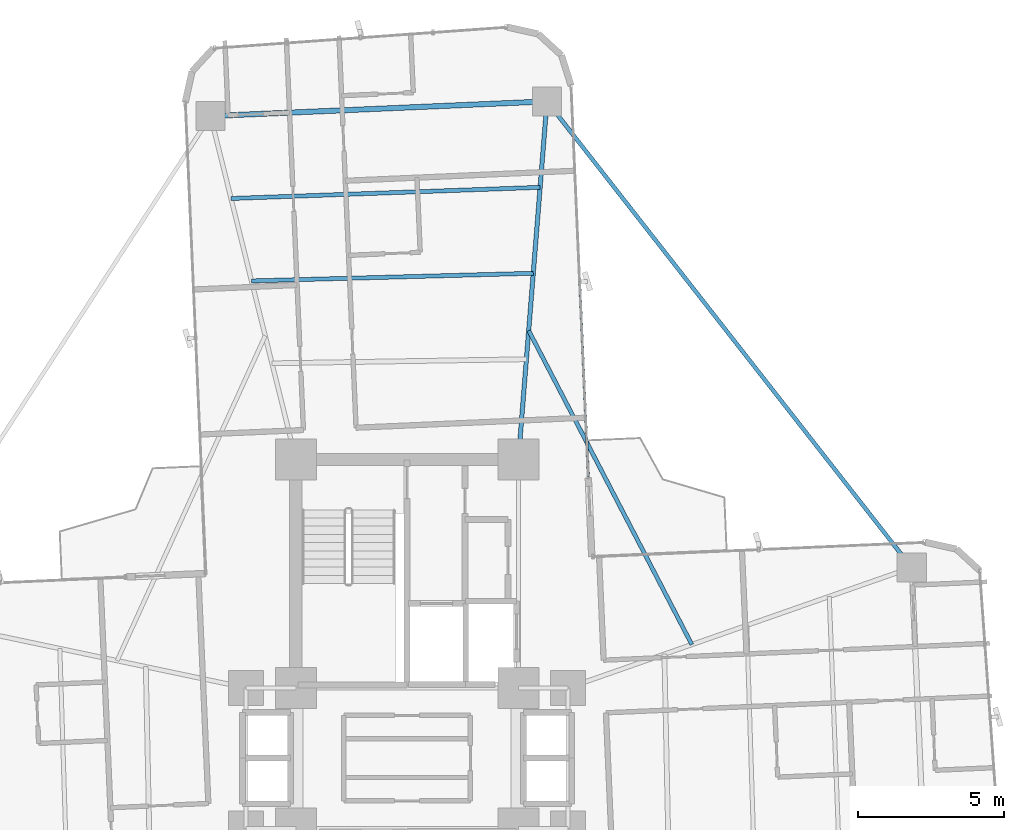
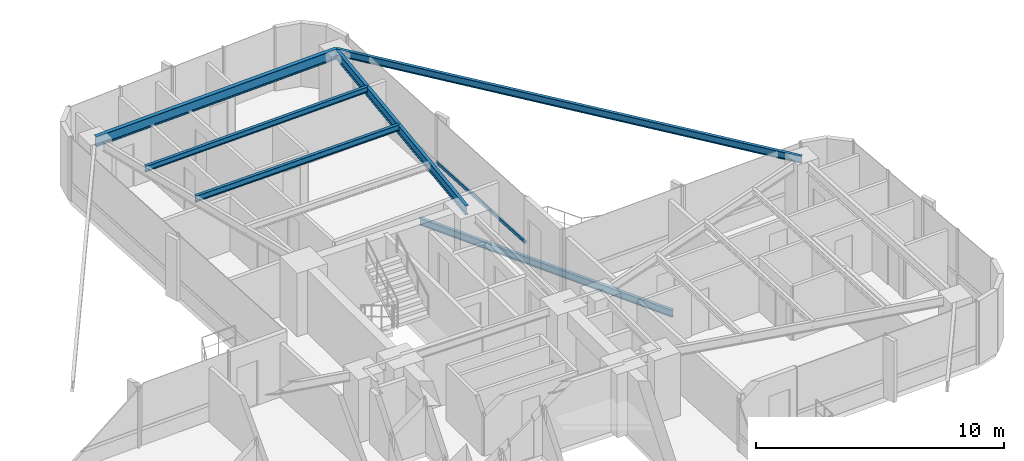
# One storey, part 18 of 26: 6 beams, 1 member, 1 element without a shape of its own.
"""IFC4 building model written with IfcOpenShell, lengths in metres."""

from ifc_helpers import new_model, si_unit, direction, frame, origin, origin_2d, place, context, subcontext, project, spatial, hollow_rectangle, i_section, extrude, source, transform, mapped, material, material_profile, profile_set, type_object, element, aggregate, save


model = new_model("IFC4")

# Units and contexts
model_context = context("Model", 3, precision=1e-05, world=origin(), true_north=direction((0.0, 1.0)))
body_context = subcontext(model_context, "Body", "Model", "MODEL_VIEW")
ifc_project = project(units=[si_unit("LENGTHUNIT", "METRE"), si_unit("AREAUNIT", "SQUARE_METRE"), si_unit("VOLUMEUNIT", "CUBIC_METRE"), si_unit("PLANEANGLEUNIT", "RADIAN"), si_unit("MASSUNIT", "GRAM", prefix="KILO")], contexts=[model_context])

# Site, building, storey
site_placement = place(None, origin())
site = spatial("IfcSite", under=ifc_project, at=site_placement, CompositionType="ELEMENT")
building_placement = place(site_placement, origin())
building = spatial("IfcBuilding", under=site, at=building_placement, Name="Sahyath Konkavel Grand Hotel", CompositionType="ELEMENT")
storey_placement = place(building_placement, frame((0.0, 0.0, 128.199951171875)))
storey = spatial("IfcBuildingStorey", under=building, at=storey_placement, Name="L35", CompositionType="ELEMENT", Elevation=128.199951171875)

# Beams
ifc_material_1 = material(Name="Steel E350", Category="steel")
ifc_material_profile_1 = material_profile(ifc_material_1, i_section(OverallWidth=0.14990234375, OverallDepth=0.449951171875, WebThickness=0.009521484375, FlangeThickness=0.017333984375, FilletRadius=0.014892578125, at=origin_2d()), Name="ISMB 450")
ifc_profile_set_1 = profile_set([ifc_material_profile_1], Name="Steel E350")
beam_type_1 = type_object("IfcBeamType", Name="BM-ISMB450", PredefinedType="BEAM", material=ifc_profile_set_1)
shared_shape_1 = source(origin(), body_context, "Body", "SweptSolid", [
    extrude(i_section(OverallWidth=0.14990234375, OverallDepth=0.449951171875, WebThickness=0.009521484375, FlangeThickness=0.017333984375, FilletRadius=0.014892578125, at=origin_2d()), origin(), (0.0, 0.0, 1.0), 12.2685546875),
])
beam_1_placement = place(storey_placement, frame((3.800048828125, 10.199951171875, 2.885009765625), z_axis=(0.079558563357, 0.996830193662, 0.0), x_axis=(-0.996830193662, 0.079558563357, 0.0)))
element("IfcBeam", 1, at=beam_1_placement, inside=storey, type_object=beam_type_1, Name="L35 Cruciform Radial Girder NA", PredefinedType="BEAM", context=body_context, shape_type="MappedRepresentation", body=[
    mapped(shared_shape_1, transform((0.0, 0.0, 0.0), scale=1.0)),
])
ifc_material_profile_2 = material_profile(ifc_material_1, i_section(OverallWidth=0.179931640625, OverallDepth=0.5, WebThickness=0.01025390625, FlangeThickness=0.01708984375, FilletRadius=0.01708984375, at=origin_2d()), Name="ISMB 500")
ifc_profile_set_2 = profile_set([ifc_material_profile_2], Name="Steel E350")
beam_type_2 = type_object("IfcBeamType", Name="BM-ISMB500", PredefinedType="BEAM", material=ifc_profile_set_2)
shared_shape_2 = source(origin(), body_context, "Body", "SweptSolid", [
    extrude(i_section(OverallWidth=0.179931640625, OverallDepth=0.5, WebThickness=0.01025390625, FlangeThickness=0.01708984375, FilletRadius=0.01708984375, at=origin_2d()), origin(), (0.0, 0.0, 1.0), 11.5),
])
beam_2_placement = place(storey_placement, frame((4.776123046875, 22.4296875, 2.860107421875), z_axis=(-0.99904788879, -0.043627008892, 0.0), x_axis=(0.043627008892, -0.99904788879, 0.0)))
element("IfcBeam", 2, at=beam_2_placement, inside=storey, type_object=beam_type_2, Name="L35 Wing Tip Edge Beam N", PredefinedType="BEAM", context=body_context, shape_type="MappedRepresentation", body=[
    mapped(shared_shape_2, transform((0.0, 0.0, 0.0), scale=1.0)),
])
ifc_material_profile_3 = material_profile(ifc_material_1, i_section(OverallWidth=0.139892578125, OverallDepth=0.35009765625, WebThickness=0.008056640625, FlangeThickness=0.01416015625, FilletRadius=0.013916015625, at=origin_2d()), Name="ISMB 350")
ifc_profile_set_3 = profile_set([ifc_material_profile_3], Name="Steel E350")
beam_type_3 = type_object("IfcBeamType", Name="BM-ISMB350", PredefinedType="BEAM", material=ifc_profile_set_3)
shared_shape_3 = source(origin(), body_context, "Body", "SweptSolid", [
    extrude(i_section(OverallWidth=0.139892578125, OverallDepth=0.35009765625, WebThickness=0.008056640625, FlangeThickness=0.01416015625, FilletRadius=0.013916015625, at=origin_2d()), origin(), (0.0, 0.0, 1.0), 20.215576171875),
])
beam_3_placement = place(storey_placement, frame((17.232421875, 6.5078125, 2.93505859375), z_axis=(-0.616176369687, 0.787608203004, 0.0), x_axis=(-0.787608203004, -0.616176369687, 0.0)))
element("IfcBeam", 3, at=beam_3_placement, inside=storey, type_object=beam_type_3, Name="L35 Re-Entrant Tie Beam NE", PredefinedType="BEAM", context=body_context, shape_type="MappedRepresentation", body=[
    mapped(shared_shape_3, transform((0.0, 0.0, 0.0), scale=1.0)),
])
ifc_material_profile_4 = material_profile(ifc_material_1, i_section(OverallWidth=0.139892578125, OverallDepth=0.300048828125, WebThickness=0.0078125, FlangeThickness=0.01318359375, FilletRadius=0.013916015625, at=origin_2d()), Name="ISMB 300")
ifc_profile_set_4 = profile_set([ifc_material_profile_4], Name="Steel E350")
beam_type_4 = type_object("IfcBeamType", Name="BM-ISMB300", PredefinedType="BEAM", material=ifc_profile_set_4)
shared_shape_4 = source(origin(), body_context, "Body", "SweptSolid", [
    extrude(i_section(OverallWidth=0.139892578125, OverallDepth=0.300048828125, WebThickness=0.0078125, FlangeThickness=0.01318359375, FilletRadius=0.013916015625, at=origin_2d()), origin(), (0.0, 0.0, 1.0), 9.625732421875),
])
beam_4_placement = place(storey_placement, frame((4.3076171875, 16.559326171875, 2.9599609375), z_axis=(-0.999633060528, -0.027087714933, 0.0), x_axis=(0.027087714933, -0.999633060528, 0.0)))
element("IfcBeam", 4, at=beam_4_placement, inside=storey, type_object=beam_type_4, Name="L35 Secondary Floor Beam N-2", PredefinedType="BEAM", context=body_context, shape_type="MappedRepresentation", body=[
    mapped(shared_shape_4, transform((0.0, 0.0, 0.0), scale=1.0)),
])
ifc_material_profile_5 = material_profile(ifc_material_1, i_section(OverallWidth=0.139892578125, OverallDepth=0.27490234375, WebThickness=0.00634765625, FlangeThickness=0.0087890625, FilletRadius=0.012939453125, at=origin_2d()), Name="ISLB 275")
ifc_profile_set_5 = profile_set([ifc_material_profile_5], Name="Steel E350")
beam_type_5 = type_object("IfcBeamType", Name="BM-ISLB275", PredefinedType="BEAM", material=ifc_profile_set_5)
shared_shape_5 = source(origin(), body_context, "Body", "SweptSolid", [
    extrude(i_section(OverallWidth=0.139892578125, OverallDepth=0.27490234375, WebThickness=0.00634765625, FlangeThickness=0.0087890625, FilletRadius=0.012939453125, at=origin_2d()), origin(), (0.0, 0.0, 1.0), 10.562744140625),
])
beam_5_placement = place(storey_placement, frame((4.5419921875, 19.49462890625, 2.97265625), z_axis=(-0.999348077295, -0.036102914095, 0.0), x_axis=(0.036102914095, -0.999348077295, 0.0)))
element("IfcBeam", 5, at=beam_5_placement, inside=storey, type_object=beam_type_5, Name="L35 Secondary Floor Beam N-3", PredefinedType="BEAM", context=body_context, shape_type="MappedRepresentation", body=[
    mapped(shared_shape_5, transform((0.0, 0.0, 0.0), scale=1.0)),
])

# Curtain wall, member
ifc_material_2 = material(Name="Anodised Bronze Aluminium & Low-E Glazing", Category="aluminium")
curtain_wall_type = type_object("IfcCurtainWallType", Name="CW-ZONE2", PredefinedType="NOTDEFINED", material=ifc_material_2)
curtain_wall_placement = place(storey_placement, origin())
curtain_wall = element("IfcCurtainWall", 6, at=curtain_wall_placement, inside=storey, type_object=curtain_wall_type, Name="L35 Unitised Curtain Wall F8", PredefinedType="NOTDEFINED")
ifc_material_3 = material(Name="Anodised Bronze Aluminium", Category="aluminium")
ifc_material_profile_6 = material_profile(ifc_material_3, hollow_rectangle(XDim=0.080078125, YDim=0.159912109375, WallThickness=0.006103515625, at=origin_2d()), Name="RHS 160x80x6")
ifc_profile_set_6 = profile_set([ifc_material_profile_6], Name="Anodised Bronze Aluminium")
member_type = type_object("IfcMemberType", Name="CW-TRN-160", PredefinedType="USERDEFINED", material=ifc_profile_set_6)
shared_shape_6 = source(origin(), body_context, "Body", "SweptSolid", [
    extrude(hollow_rectangle(XDim=0.080078125, YDim=0.159912109375, WallThickness=0.006103515625, at=origin_2d()), origin(), (0.0, 0.0, 1.0), 6.66015625),
])
member_placement = place(storey_placement, frame((6.186279296875, 9.618896484375, 0.85009765625), z_axis=(-0.043621753165, 0.999048118286, 0.0), x_axis=(-0.999048118286, -0.043621753165, 0.0)))
member = element("IfcMember", 7, at=member_placement, type_object=member_type, Name="L35 Curtain Wall Transom F8-0-spandrel", ObjectType="TRANSOM", PredefinedType="USERDEFINED", context=body_context, shape_type="MappedRepresentation", body=[
    mapped(shared_shape_6, transform((0.0, 0.0, 0.0), scale=1.0)),
])
aggregate(curtain_wall, [member])

# Beam
ifc_material_profile_7 = material_profile(ifc_material_1, i_section(OverallWidth=0.139892578125, OverallDepth=0.35009765625, WebThickness=0.008056640625, FlangeThickness=0.01416015625, FilletRadius=0.013916015625, at=origin_2d()), Name="ISMB 350")
ifc_profile_set_7 = profile_set([ifc_material_profile_7], Name="Steel E350")
beam_type_6 = type_object("IfcBeamType", Name="BM-BALC-CANT", PredefinedType="BEAM", material=ifc_profile_set_7)
shared_shape_7 = source(origin(), body_context, "Body", "SweptSolid", [
    extrude(i_section(OverallWidth=0.139892578125, OverallDepth=0.35009765625, WebThickness=0.008056640625, FlangeThickness=0.01416015625, FilletRadius=0.013916015625, at=origin_2d()), origin(), (0.0, 0.0, 1.0), 12.085205078125),
])
beam_6_placement = place(storey_placement, frame((9.7236328125, 3.87890625, -0.4150390625), z_axis=(-0.461082384626, 0.887357331962, 0.0), x_axis=(-0.887357331962, -0.461082384626, 0.0)))
element("IfcBeam", 8, at=beam_6_placement, inside=storey, type_object=beam_type_6, Name="L35 Balcony Cantilever Support Beam NE", PredefinedType="BEAM", context=body_context, shape_type="MappedRepresentation", body=[
    mapped(shared_shape_7, transform((0.0, 0.0, 0.0), scale=1.0)),
])

save(model, "model.ifc")
